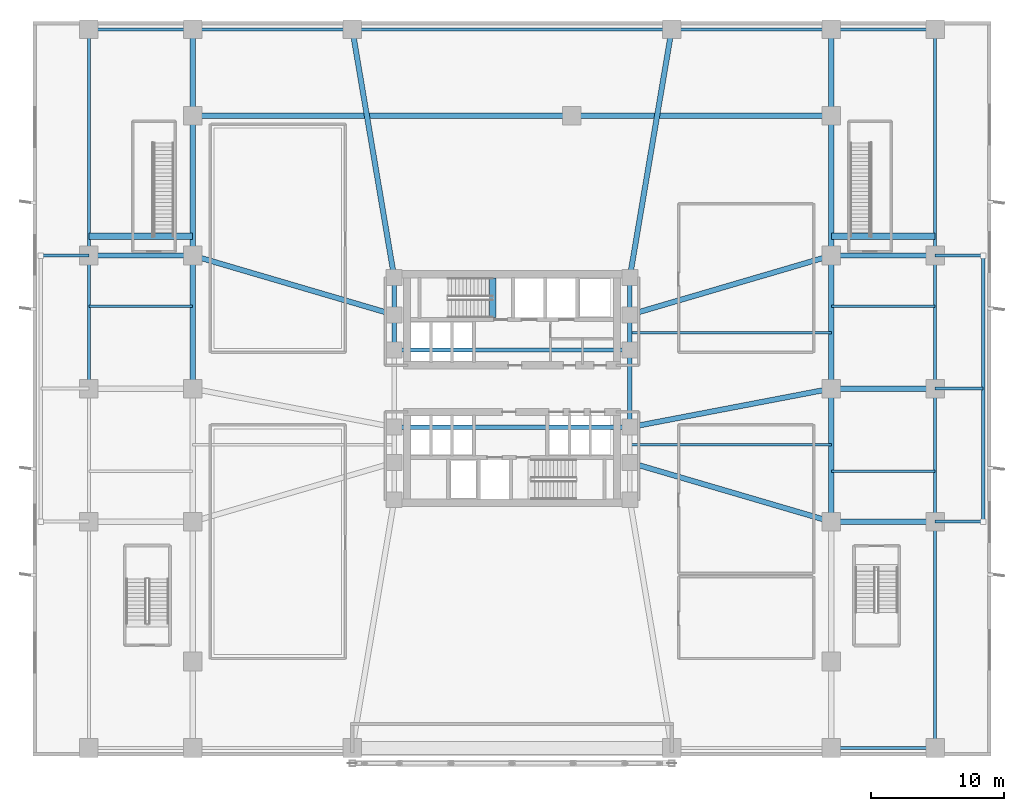
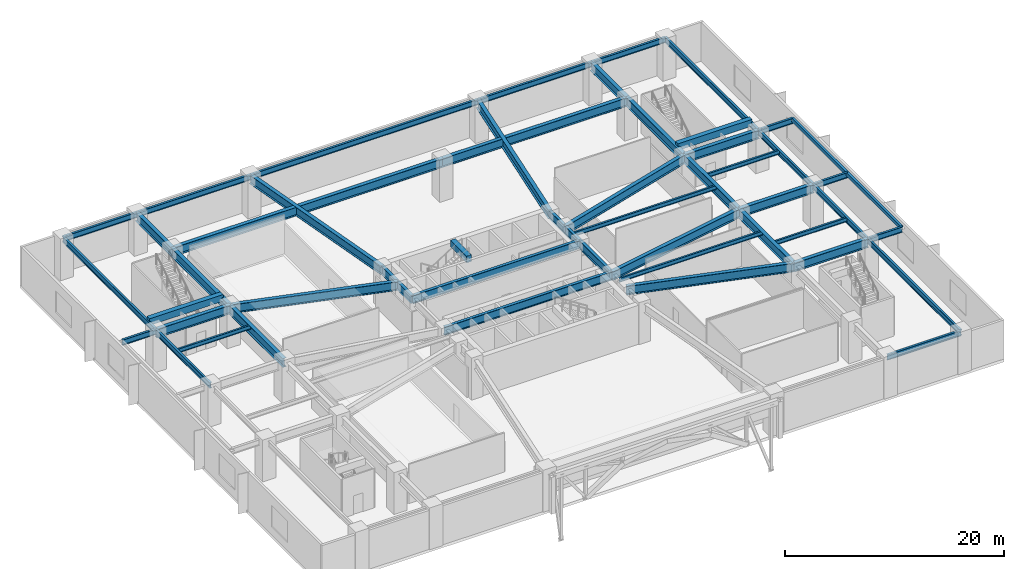
# One storey, part 6 of 21: 51 beams.
"""IFC4 building model written with IfcOpenShell, lengths in metres."""

from ifc_helpers import new_model, si_unit, direction, frame, origin, origin_2d, place, context, subcontext, project, spatial, rectangle, hollow_rectangle, i_section, extrude, material, material_profile, profile_set, type_object, element, save


model = new_model("IFC4")

# Units and contexts
model_context = context("Model", 3, precision=1e-05, world=origin(), true_north=direction((0.0, 1.0)))
body_context = subcontext(model_context, "Body", "Model", "MODEL_VIEW")
ifc_project = project(units=[si_unit("LENGTHUNIT", "METRE"), si_unit("AREAUNIT", "SQUARE_METRE"), si_unit("VOLUMEUNIT", "CUBIC_METRE"), si_unit("PLANEANGLEUNIT", "RADIAN"), si_unit("MASSUNIT", "GRAM", prefix="KILO")], contexts=[model_context])

# Site, building, storey
site_placement = place(None, origin())
site = spatial("IfcSite", under=ifc_project, at=site_placement, CompositionType="ELEMENT")
building_placement = place(site_placement, origin())
building = spatial("IfcBuilding", under=site, at=building_placement, Name="Solmarez Civic Tower", CompositionType="ELEMENT")
storey_placement = place(building_placement, frame((0.0, 0.0, 10.080078125)))
storey = spatial("IfcBuildingStorey", under=building, at=storey_placement, Name="L02", CompositionType="ELEMENT", Elevation=10.080078125)

# Beams
ifc_material_1 = material(Name="Steel S355", Category="steel")
ifc_material_profile_1 = material_profile(ifc_material_1, i_section(OverallWidth=0.19189453125, OverallDepth=0.462890625, WebThickness=0.010498046875, FlangeThickness=0.017578125, at=origin_2d()), Name="W18X60")
ifc_profile_set_1 = profile_set([ifc_material_profile_1], Name="Steel S355")
beam_type_1 = type_object("IfcBeamType", Name="BM-JS-W18X60", PredefinedType="JOIST", material=ifc_profile_set_1)
beam_1_placement = place(storey_placement, frame((8.85009765625, -4.199951171875, 4.1279296875), z_axis=(1.0, 0.0, 0.0), x_axis=(0.0, 1.0, 0.0)))
element("IfcBeam", 1, at=beam_1_placement, inside=storey, type_object=beam_type_1, Name="L02 Secondary Floor Joist JS-L02-EM1", PredefinedType="JOIST", context=body_context, shape_type="SweptSolid", body=[
    extrude(i_section(OverallWidth=0.19189453125, OverallDepth=0.462890625, WebThickness=0.010498046875, FlangeThickness=0.017578125, at=origin_2d()), origin(), (0.0, 0.0, 1.0), 15.14990234375),
])
beam_2_placement = place(storey_placement, frame((24.0, -6.199951171875, 4.1279296875), z_axis=(1.0, 0.0, 0.0), x_axis=(0.0, 1.0, 0.0)))
element("IfcBeam", 2, at=beam_2_placement, inside=storey, type_object=beam_type_1, Name="L02 Secondary Floor Joist JS-L02-EE1", PredefinedType="JOIST", context=body_context, shape_type="SweptSolid", body=[
    extrude(i_section(OverallWidth=0.19189453125, OverallDepth=0.462890625, WebThickness=0.010498046875, FlangeThickness=0.017578125, at=origin_2d()), origin(), (0.0, 0.0, 1.0), 7.800048828125),
])
beam_3_placement = place(storey_placement, frame((8.85009765625, 4.199951171875, 4.1279296875), z_axis=(1.0, 0.0, 0.0), x_axis=(0.0, 1.0, 0.0)))
element("IfcBeam", 3, at=beam_3_placement, inside=storey, type_object=beam_type_1, Name="L02 Secondary Floor Joist JS-L02-EM2", PredefinedType="JOIST", context=body_context, shape_type="SweptSolid", body=[
    extrude(i_section(OverallWidth=0.19189453125, OverallDepth=0.462890625, WebThickness=0.010498046875, FlangeThickness=0.017578125, at=origin_2d()), origin(), (0.0, 0.0, 1.0), 15.14990234375),
])
for number, where, z_axis, x_axis, name in (
    (4, (-31.800048828125, 6.199951171875, 4.1279296875), (1.0, 0.0, 0.0), (0.0, 1.0, 0.0), "L02 Secondary Floor Joist JS-L02-WW2"),
    (5, (24.0, 6.199951171875, 4.1279296875), (1.0, 0.0, 0.0), (0.0, 1.0, 0.0), "L02 Secondary Floor Joist JS-L02-EE2"),
):
    element("IfcBeam", number, at=place(storey_placement, frame(where, z_axis=z_axis, x_axis=x_axis)), inside=storey, type_object=beam_type_1, Name=name, PredefinedType="JOIST", context=body_context, shape_type="SweptSolid", body=[
        extrude(i_section(OverallWidth=0.19189453125, OverallDepth=0.462890625, WebThickness=0.010498046875, FlangeThickness=0.017578125, at=origin_2d()), origin(), (0.0, 0.0, 1.0), 7.800048828125),
    ])
ifc_material_2 = material(Name="Concrete C50/60", Category="concrete")
ifc_material_profile_2 = material_profile(ifc_material_2, rectangle(XDim=0.5, YDim=0.75, at=origin_2d()), Name="RC500X750")
ifc_profile_set_2 = profile_set([ifc_material_profile_2], Name="Concrete C50/60")
beam_type_2 = type_object("IfcBeamType", Name="BM-PR-RC500X750", PredefinedType="BEAM", material=ifc_profile_set_2)
beam_4_placement = place(storey_placement, frame((-1.449951171875, 5.340087890625, 4.31298828125), z_axis=(0.0, 1.0, 0.0), x_axis=(-1.0, 0.0, 0.0)))
element("IfcBeam", 6, at=beam_4_placement, inside=storey, type_object=beam_type_2, Name="L02 North Stair Threshold Beam", PredefinedType="BEAM", context=body_context, shape_type="SweptSolid", body=[
    extrude(rectangle(XDim=0.5, YDim=0.75, at=origin_2d()), origin(), (0.0, 0.0, 1.0), 2.9599609375),
])
for number, where, z_axis, x_axis, name in (
    (7, (-31.800048828125, 11.449951171875, 4.31103515625), (1.0, 0.0, 0.0), (0.0, 1.0, 0.0), "L02 Atrium Stair Bottom Threshold Beam P3"),
    (8, (24.0, 11.449951171875, 4.31103515625), (1.0, 0.0, 0.0), (0.0, 1.0, 0.0), "L02 Atrium Stair Bottom Threshold Beam P4"),
):
    element("IfcBeam", number, at=place(storey_placement, frame(where, z_axis=z_axis, x_axis=x_axis)), inside=storey, type_object=beam_type_2, Name=name, PredefinedType="BEAM", context=body_context, shape_type="SweptSolid", body=[
        extrude(rectangle(XDim=0.5, YDim=0.75, at=origin_2d()), origin(), (0.0, 0.0, 1.0), 7.800048828125),
    ])
ifc_material_profile_3 = material_profile(ifc_material_1, i_section(OverallWidth=0.306884765625, OverallDepth=0.927001953125, WebThickness=0.019287109375, FlangeThickness=0.031982421875, at=origin_2d()), Name="W36X194")
ifc_profile_set_3 = profile_set([ifc_material_profile_3], Name="Steel S355")
beam_type_3 = type_object("IfcBeamType", Name="BM-PR-W36X194", PredefinedType="BEAM", material=ifc_profile_set_3)
beam_5_placement = place(storey_placement, frame((-8.85009765625, 2.89990234375, 3.89599609375), z_axis=(0.0, 1.0, 0.0), x_axis=(-1.0, 0.0, 0.0)))
element("IfcBeam", 9, at=beam_5_placement, inside=storey, type_object=beam_type_3, Name="L02 Primary Floor Beam BM-L02-HC3-HC4", PredefinedType="BEAM", context=body_context, shape_type="SweptSolid", body=[
    extrude(i_section(OverallWidth=0.306884765625, OverallDepth=0.927001953125, WebThickness=0.019287109375, FlangeThickness=0.031982421875, at=origin_2d()), origin(), (0.0, 0.0, 1.0), 2.650146484375),
])
beam_6_placement = place(storey_placement, frame((-8.85009765625, 5.550048828125, 3.89599609375), z_axis=(0.0, 1.0, 0.0), x_axis=(-1.0, 0.0, 0.0)))
element("IfcBeam", 10, at=beam_6_placement, inside=storey, type_object=beam_type_3, Name="L02 Primary Floor Beam BM-L02-HC4-HC9", PredefinedType="BEAM", context=body_context, shape_type="SweptSolid", body=[
    extrude(i_section(OverallWidth=0.306884765625, OverallDepth=0.927001953125, WebThickness=0.019287109375, FlangeThickness=0.031982421875, at=origin_2d()), origin(), (0.0, 0.0, 1.0), 2.800048828125),
])
beam_7_placement = place(storey_placement, frame((8.85009765625, -2.89990234375, 3.89599609375), z_axis=(0.0, 1.0, 0.0), x_axis=(-1.0, 0.0, 0.0)))
element("IfcBeam", 11, at=beam_7_placement, inside=storey, type_object=beam_type_3, Name="L02 Primary Floor Beam BM-L02-HC6-HC7", PredefinedType="BEAM", context=body_context, shape_type="SweptSolid", body=[
    extrude(i_section(OverallWidth=0.306884765625, OverallDepth=0.927001953125, WebThickness=0.019287109375, FlangeThickness=0.031982421875, at=origin_2d()), origin(), (0.0, 0.0, 1.0), 5.7998046875),
])
beam_8_placement = place(storey_placement, frame((8.85009765625, 2.89990234375, 3.89599609375), z_axis=(0.0, 1.0, 0.0), x_axis=(-1.0, 0.0, 0.0)))
element("IfcBeam", 12, at=beam_8_placement, inside=storey, type_object=beam_type_3, Name="L02 Primary Floor Beam BM-L02-HC7-HC8", PredefinedType="BEAM", context=body_context, shape_type="SweptSolid", body=[
    extrude(i_section(OverallWidth=0.306884765625, OverallDepth=0.927001953125, WebThickness=0.019287109375, FlangeThickness=0.031982421875, at=origin_2d()), origin(), (0.0, 0.0, 1.0), 2.650146484375),
])
beam_9_placement = place(storey_placement, frame((8.85009765625, 5.550048828125, 3.89599609375), z_axis=(0.0, 1.0, 0.0), x_axis=(-1.0, 0.0, 0.0)))
element("IfcBeam", 13, at=beam_9_placement, inside=storey, type_object=beam_type_3, Name="L02 Primary Floor Beam BM-L02-HC8-HC11", PredefinedType="BEAM", context=body_context, shape_type="SweptSolid", body=[
    extrude(i_section(OverallWidth=0.306884765625, OverallDepth=0.927001953125, WebThickness=0.019287109375, FlangeThickness=0.031982421875, at=origin_2d()), origin(), (0.0, 0.0, 1.0), 2.800048828125),
])
for number, where, z_axis, x_axis, name in (
    (14, (-8.85009765625, -2.89990234375, 3.89599609375), (1.0, 0.0, 0.0), (0.0, 1.0, 0.0), "L02 Primary Floor Beam BM-L02-HC2-HC6"),
    (15, (-8.85009765625, 2.89990234375, 3.89599609375), (1.0, 0.0, 0.0), (0.0, 1.0, 0.0), "L02 Primary Floor Beam BM-L02-HC3-HC7"),
):
    element("IfcBeam", number, at=place(storey_placement, frame(where, z_axis=z_axis, x_axis=x_axis)), inside=storey, type_object=beam_type_3, Name=name, PredefinedType="BEAM", context=body_context, shape_type="SweptSolid", body=[
        extrude(i_section(OverallWidth=0.306884765625, OverallDepth=0.927001953125, WebThickness=0.019287109375, FlangeThickness=0.031982421875, at=origin_2d()), origin(), (0.0, 0.0, 1.0), 17.7001953125),
    ])
ifc_material_profile_4 = material_profile(ifc_material_1, i_section(OverallWidth=0.39892578125, OverallDepth=0.98193359375, WebThickness=0.0166015625, FlangeThickness=0.027099609375, at=origin_2d()), Name="W40X199")
ifc_profile_set_4 = profile_set([ifc_material_profile_4], Name="Steel S355")
beam_type_4 = type_object("IfcBeamType", Name="BM-PR-W40X199", PredefinedType="BEAM", material=ifc_profile_set_4)
beam_10_placement = place(storey_placement, frame((-24.0, 20.5, 3.868896484375), z_axis=(1.0, 0.0, 0.0), x_axis=(0.0, 1.0, 0.0)))
element("IfcBeam", 16, at=beam_10_placement, inside=storey, type_object=beam_type_4, Name="L02 Primary Floor Beam BM-L02-PC29-PC25", PredefinedType="BEAM", context=body_context, shape_type="SweptSolid", body=[
    extrude(i_section(OverallWidth=0.39892578125, OverallDepth=0.98193359375, WebThickness=0.0166015625, FlangeThickness=0.027099609375, at=origin_2d()), origin(), (0.0, 0.0, 1.0), 28.5),
])
beam_11_placement = place(storey_placement, frame((4.5, 20.5, 3.868896484375), z_axis=(1.0, 0.0, 0.0), x_axis=(0.0, 1.0, 0.0)))
element("IfcBeam", 17, at=beam_11_placement, inside=storey, type_object=beam_type_4, Name="L02 Primary Floor Beam BM-L02-PC25-PC30", PredefinedType="BEAM", context=body_context, shape_type="SweptSolid", body=[
    extrude(i_section(OverallWidth=0.39892578125, OverallDepth=0.98193359375, WebThickness=0.0166015625, FlangeThickness=0.027099609375, at=origin_2d()), origin(), (0.0, 0.0, 1.0), 19.5),
])
beam_12_placement = place(storey_placement, frame((-24.0, 0.0, 3.868896484375), z_axis=(0.0, 1.0, 0.0), x_axis=(-1.0, 0.0, 0.0)))
element("IfcBeam", 18, at=beam_12_placement, inside=storey, type_object=beam_type_4, Name="L02 Primary Floor Beam BM-L02-PC20-PC21", PredefinedType="BEAM", context=body_context, shape_type="SweptSolid", body=[
    extrude(i_section(OverallWidth=0.39892578125, OverallDepth=0.98193359375, WebThickness=0.0166015625, FlangeThickness=0.027099609375, at=origin_2d()), origin(), (0.0, 0.0, 1.0), 10.0),
])
beam_13_placement = place(storey_placement, frame((-24.0, 10.0, 3.868896484375), z_axis=(0.0, 1.0, 0.0), x_axis=(-1.0, 0.0, 0.0)))
element("IfcBeam", 19, at=beam_13_placement, inside=storey, type_object=beam_type_4, Name="L02 Primary Floor Beam BM-L02-PC21-PC29", PredefinedType="BEAM", context=body_context, shape_type="SweptSolid", body=[
    extrude(i_section(OverallWidth=0.39892578125, OverallDepth=0.98193359375, WebThickness=0.0166015625, FlangeThickness=0.027099609375, at=origin_2d()), origin(), (0.0, 0.0, 1.0), 10.5),
])
beam_14_placement = place(storey_placement, frame((-24.0, 20.5, 3.868896484375), z_axis=(0.0, 1.0, 0.0), x_axis=(-1.0, 0.0, 0.0)))
element("IfcBeam", 20, at=beam_14_placement, inside=storey, type_object=beam_type_4, Name="L02 Primary Floor Beam BM-L02-PC29-PC08", PredefinedType="BEAM", context=body_context, shape_type="SweptSolid", body=[
    extrude(i_section(OverallWidth=0.39892578125, OverallDepth=0.98193359375, WebThickness=0.0166015625, FlangeThickness=0.027099609375, at=origin_2d()), origin(), (0.0, 0.0, 1.0), 6.5),
])
for number, where, z_axis, x_axis, name in (
    (21, (24.0, -10.0, 3.868896484375), (0.0, 1.0, 0.0), (-1.0, 0.0, 0.0), "L02 Primary Floor Beam BM-L02-PC22-PC23"),
    (22, (24.0, 0.0, 3.868896484375), (0.0, 1.0, 0.0), (-1.0, 0.0, 0.0), "L02 Primary Floor Beam BM-L02-PC23-PC24"),
):
    element("IfcBeam", number, at=place(storey_placement, frame(where, z_axis=z_axis, x_axis=x_axis)), inside=storey, type_object=beam_type_4, Name=name, PredefinedType="BEAM", context=body_context, shape_type="SweptSolid", body=[
        extrude(i_section(OverallWidth=0.39892578125, OverallDepth=0.98193359375, WebThickness=0.0166015625, FlangeThickness=0.027099609375, at=origin_2d()), origin(), (0.0, 0.0, 1.0), 10.0),
    ])
beam_15_placement = place(storey_placement, frame((24.0, 10.0, 3.868896484375), z_axis=(0.0, 1.0, 0.0), x_axis=(-1.0, 0.0, 0.0)))
element("IfcBeam", 23, at=beam_15_placement, inside=storey, type_object=beam_type_4, Name="L02 Primary Floor Beam BM-L02-PC24-PC30", PredefinedType="BEAM", context=body_context, shape_type="SweptSolid", body=[
    extrude(i_section(OverallWidth=0.39892578125, OverallDepth=0.98193359375, WebThickness=0.0166015625, FlangeThickness=0.027099609375, at=origin_2d()), origin(), (0.0, 0.0, 1.0), 10.5),
])
beam_16_placement = place(storey_placement, frame((24.0, 20.5, 3.868896484375), z_axis=(0.0, 1.0, 0.0), x_axis=(-1.0, 0.0, 0.0)))
element("IfcBeam", 24, at=beam_16_placement, inside=storey, type_object=beam_type_4, Name="L02 Primary Floor Beam BM-L02-PC30-PC11", PredefinedType="BEAM", context=body_context, shape_type="SweptSolid", body=[
    extrude(i_section(OverallWidth=0.39892578125, OverallDepth=0.98193359375, WebThickness=0.0166015625, FlangeThickness=0.027099609375, at=origin_2d()), origin(), (0.0, 0.0, 1.0), 6.5),
])
for number, where, z_axis, x_axis, name in (
    (25, (-31.800048828125, 10.0, 3.868896484375), (1.0, 0.0, 0.0), (0.0, 1.0, 0.0), "L02 Primary Floor Beam BM-L02-PC15-PC21"),
    (26, (31.800048828125, -10.0, 3.868896484375), (-1.0, 0.0, 0.0), (0.0, -1.0, 0.0), "L02 Primary Floor Beam BM-L02-PC16-PC22"),
    (27, (31.800048828125, 0.0, 3.868896484375), (-1.0, 0.0, 0.0), (0.0, -1.0, 0.0), "L02 Primary Floor Beam BM-L02-PC17-PC23"),
    (28, (31.800048828125, 10.0, 3.868896484375), (-1.0, 0.0, 0.0), (0.0, -1.0, 0.0), "L02 Primary Floor Beam BM-L02-PC18-PC24"),
):
    element("IfcBeam", number, at=place(storey_placement, frame(where, z_axis=z_axis, x_axis=x_axis)), inside=storey, type_object=beam_type_4, Name=name, PredefinedType="BEAM", context=body_context, shape_type="SweptSolid", body=[
        extrude(i_section(OverallWidth=0.39892578125, OverallDepth=0.98193359375, WebThickness=0.0166015625, FlangeThickness=0.027099609375, at=origin_2d()), origin(), (0.0, 0.0, 1.0), 7.800048828125),
    ])
for number, where, z_axis, x_axis, name in (
    (29, (-24.0, 10.0, 3.868896484375), (0.959466630969, -0.281822256143, 0.0), (0.281822256143, 0.959466630969, 0.0), "L02 Primary Floor Beam BM-L02-PC21-HC4"),
    (30, (24.0, -10.0, 3.868896484375), (-0.959466630969, 0.281822256143, 0.0), (-0.281822256143, -0.959466630969, 0.0), "L02 Primary Floor Beam BM-L02-PC22-HC5"),
):
    element("IfcBeam", number, at=place(storey_placement, frame(where, z_axis=z_axis, x_axis=x_axis)), inside=storey, type_object=beam_type_4, Name=name, PredefinedType="BEAM", context=body_context, shape_type="SweptSolid", body=[
        extrude(i_section(OverallWidth=0.39892578125, OverallDepth=0.98193359375, WebThickness=0.0166015625, FlangeThickness=0.027099609375, at=origin_2d()), origin(), (0.0, 0.0, 1.0), 15.7900390625),
    ])
beam_17_placement = place(storey_placement, frame((24.0, 0.0, 3.868896484375), z_axis=(-0.982168874333, -0.188000803966, 0.0), x_axis=(0.188000803966, -0.982168874333, 0.0)))
element("IfcBeam", 31, at=beam_17_placement, inside=storey, type_object=beam_type_4, Name="L02 Primary Floor Beam BM-L02-PC23-HC6", PredefinedType="BEAM", context=body_context, shape_type="SweptSolid", body=[
    extrude(i_section(OverallWidth=0.39892578125, OverallDepth=0.98193359375, WebThickness=0.0166015625, FlangeThickness=0.027099609375, at=origin_2d()), origin(), (0.0, 0.0, 1.0), 15.425048828125),
])
beam_18_placement = place(storey_placement, frame((24.0, 10.0, 3.868896484375), z_axis=(-0.959466630969, -0.281822256143, 0.0), x_axis=(0.281822256143, -0.959466630969, 0.0)))
element("IfcBeam", 32, at=beam_18_placement, inside=storey, type_object=beam_type_4, Name="L02 Primary Floor Beam BM-L02-PC24-HC8", PredefinedType="BEAM", context=body_context, shape_type="SweptSolid", body=[
    extrude(i_section(OverallWidth=0.39892578125, OverallDepth=0.98193359375, WebThickness=0.0166015625, FlangeThickness=0.027099609375, at=origin_2d()), origin(), (0.0, 0.0, 1.0), 15.7900390625),
])
for number, where, z_axis, x_axis, name in (
    (33, (-12.0, 27.0, 3.868896484375), (0.166537824737, -0.986035066786, 0.0), (0.986035066786, 0.166537824737, 0.0), "L02 Primary Floor Beam BM-L02-PC09-HC9"),
    (34, (12.0, 27.0, 3.868896484375), (-0.166537824737, -0.986035066786, 0.0), (0.986035066786, -0.166537824737, 0.0), "L02 Primary Floor Beam BM-L02-PC10-HC11"),
):
    element("IfcBeam", number, at=place(storey_placement, frame(where, z_axis=z_axis, x_axis=x_axis)), inside=storey, type_object=beam_type_4, Name=name, PredefinedType="BEAM", context=body_context, shape_type="SweptSolid", body=[
        extrude(i_section(OverallWidth=0.39892578125, OverallDepth=0.98193359375, WebThickness=0.0166015625, FlangeThickness=0.027099609375, at=origin_2d()), origin(), (0.0, 0.0, 1.0), 18.9140625),
    ])
ifc_material_profile_5 = material_profile(ifc_material_1, hollow_rectangle(XDim=0.25, YDim=0.39990234375, WallThickness=0.01611328125, at=origin_2d()), Name="HSS400X250X16")
ifc_profile_set_5 = profile_set([ifc_material_profile_5], Name="Steel S355")
beam_type_5 = type_object("IfcBeamType", Name="BM-SP-HSS400X250", PredefinedType="SPANDREL", material=ifc_profile_set_5)
beam_19_placement = place(storey_placement, frame((35.39990234375, -10.0, 4.159912109375), z_axis=(0.0, 1.0, 0.0), x_axis=(-1.0, 0.0, 0.0)))
element("IfcBeam", 35, at=beam_19_placement, inside=storey, type_object=beam_type_5, Name="L02 Perimeter Spandrel Beam BM-L02-TERRE-EDGE", PredefinedType="SPANDREL", context=body_context, shape_type="SweptSolid", body=[
    extrude(hollow_rectangle(XDim=0.25, YDim=0.39990234375, WallThickness=0.01611328125, at=origin_2d()), origin(), (0.0, 0.0, 1.0), 20.0),
])
ifc_material_profile_6 = material_profile(ifc_material_1, i_section(OverallWidth=0.22900390625, OverallDepth=0.612060546875, WebThickness=0.011962890625, FlangeThickness=0.01953125, at=origin_2d()), Name="W24X84")
ifc_profile_set_6 = profile_set([ifc_material_profile_6], Name="Steel S355")
beam_type_6 = type_object("IfcBeamType", Name="BM-SP-W24X84", PredefinedType="SPANDREL", material=ifc_profile_set_6)
for number, where, z_axis, x_axis, name in (
    (36, (24.0, -27.0, 4.053955078125), (1.0, 0.0, 0.0), (0.0, 1.0, 0.0), "L02 Perimeter Spandrel Beam BM-L02-PC05-PC06"),
    (37, (-31.800048828125, 27.0, 4.053955078125), (1.0, 0.0, 0.0), (0.0, 1.0, 0.0), "L02 Perimeter Spandrel Beam BM-L02-PC07-PC08"),
):
    element("IfcBeam", number, at=place(storey_placement, frame(where, z_axis=z_axis, x_axis=x_axis)), inside=storey, type_object=beam_type_6, Name=name, PredefinedType="SPANDREL", context=body_context, shape_type="SweptSolid", body=[
        extrude(i_section(OverallWidth=0.22900390625, OverallDepth=0.612060546875, WebThickness=0.011962890625, FlangeThickness=0.01953125, at=origin_2d()), origin(), (0.0, 0.0, 1.0), 7.800048828125),
    ])
beam_20_placement = place(storey_placement, frame((-24.0, 27.0, 4.053955078125), z_axis=(1.0, 0.0, 0.0), x_axis=(0.0, 1.0, 0.0)))
element("IfcBeam", 38, at=beam_20_placement, inside=storey, type_object=beam_type_6, Name="L02 Perimeter Spandrel Beam BM-L02-PC08-PC09", PredefinedType="SPANDREL", context=body_context, shape_type="SweptSolid", body=[
    extrude(i_section(OverallWidth=0.22900390625, OverallDepth=0.612060546875, WebThickness=0.011962890625, FlangeThickness=0.01953125, at=origin_2d()), origin(), (0.0, 0.0, 1.0), 12.0),
])
beam_21_placement = place(storey_placement, frame((-12.0, 27.0, 4.053955078125), z_axis=(1.0, 0.0, 0.0), x_axis=(0.0, 1.0, 0.0)))
element("IfcBeam", 39, at=beam_21_placement, inside=storey, type_object=beam_type_6, Name="L02 Perimeter Spandrel Beam BM-L02-PC09-PC10", PredefinedType="SPANDREL", context=body_context, shape_type="SweptSolid", body=[
    extrude(i_section(OverallWidth=0.22900390625, OverallDepth=0.612060546875, WebThickness=0.011962890625, FlangeThickness=0.01953125, at=origin_2d()), origin(), (0.0, 0.0, 1.0), 24.0),
])
beam_22_placement = place(storey_placement, frame((12.0, 27.0, 4.053955078125), z_axis=(1.0, 0.0, 0.0), x_axis=(0.0, 1.0, 0.0)))
element("IfcBeam", 40, at=beam_22_placement, inside=storey, type_object=beam_type_6, Name="L02 Perimeter Spandrel Beam BM-L02-PC10-PC11", PredefinedType="SPANDREL", context=body_context, shape_type="SweptSolid", body=[
    extrude(i_section(OverallWidth=0.22900390625, OverallDepth=0.612060546875, WebThickness=0.011962890625, FlangeThickness=0.01953125, at=origin_2d()), origin(), (0.0, 0.0, 1.0), 12.0),
])
beam_23_placement = place(storey_placement, frame((24.0, 27.0, 4.053955078125), z_axis=(1.0, 0.0, 0.0), x_axis=(0.0, 1.0, 0.0)))
element("IfcBeam", 41, at=beam_23_placement, inside=storey, type_object=beam_type_6, Name="L02 Perimeter Spandrel Beam BM-L02-PC11-PC12", PredefinedType="SPANDREL", context=body_context, shape_type="SweptSolid", body=[
    extrude(i_section(OverallWidth=0.22900390625, OverallDepth=0.612060546875, WebThickness=0.011962890625, FlangeThickness=0.01953125, at=origin_2d()), origin(), (0.0, 0.0, 1.0), 7.800048828125),
])
beam_24_placement = place(storey_placement, frame((-31.800048828125, 0.0, 4.053955078125), z_axis=(0.0, 1.0, 0.0), x_axis=(-1.0, 0.0, 0.0)))
element("IfcBeam", 42, at=beam_24_placement, inside=storey, type_object=beam_type_6, Name="L02 Perimeter Spandrel Beam BM-L02-PC14-PC15", PredefinedType="SPANDREL", context=body_context, shape_type="SweptSolid", body=[
    extrude(i_section(OverallWidth=0.22900390625, OverallDepth=0.612060546875, WebThickness=0.011962890625, FlangeThickness=0.01953125, at=origin_2d()), origin(), (0.0, 0.0, 1.0), 10.0),
])
for number, where, z_axis, x_axis, name in (
    (43, (-31.800048828125, 10.0, 4.053955078125), (0.0, 1.0, 0.0), (-1.0, 0.0, 0.0), "L02 Perimeter Spandrel Beam BM-L02-PC15-PC07"),
    (44, (31.800048828125, -27.0, 4.053955078125), (0.0, 1.0, 0.0), (-1.0, 0.0, 0.0), "L02 Perimeter Spandrel Beam BM-L02-PC06-PC16"),
):
    element("IfcBeam", number, at=place(storey_placement, frame(where, z_axis=z_axis, x_axis=x_axis)), inside=storey, type_object=beam_type_6, Name=name, PredefinedType="SPANDREL", context=body_context, shape_type="SweptSolid", body=[
        extrude(i_section(OverallWidth=0.22900390625, OverallDepth=0.612060546875, WebThickness=0.011962890625, FlangeThickness=0.01953125, at=origin_2d()), origin(), (0.0, 0.0, 1.0), 17.0),
    ])
for number, where, z_axis, x_axis, name in (
    (45, (31.800048828125, -10.0, 4.053955078125), (0.0, 1.0, 0.0), (-1.0, 0.0, 0.0), "L02 Perimeter Spandrel Beam BM-L02-PC16-PC17"),
    (46, (31.800048828125, 0.0, 4.053955078125), (0.0, 1.0, 0.0), (-1.0, 0.0, 0.0), "L02 Perimeter Spandrel Beam BM-L02-PC17-PC18"),
):
    element("IfcBeam", number, at=place(storey_placement, frame(where, z_axis=z_axis, x_axis=x_axis)), inside=storey, type_object=beam_type_6, Name=name, PredefinedType="SPANDREL", context=body_context, shape_type="SweptSolid", body=[
        extrude(i_section(OverallWidth=0.22900390625, OverallDepth=0.612060546875, WebThickness=0.011962890625, FlangeThickness=0.01953125, at=origin_2d()), origin(), (0.0, 0.0, 1.0), 10.0),
    ])
beam_25_placement = place(storey_placement, frame((31.800048828125, 10.0, 4.053955078125), z_axis=(0.0, 1.0, 0.0), x_axis=(-1.0, 0.0, 0.0)))
element("IfcBeam", 47, at=beam_25_placement, inside=storey, type_object=beam_type_6, Name="L02 Perimeter Spandrel Beam BM-L02-PC18-PC12", PredefinedType="SPANDREL", context=body_context, shape_type="SweptSolid", body=[
    extrude(i_section(OverallWidth=0.22900390625, OverallDepth=0.612060546875, WebThickness=0.011962890625, FlangeThickness=0.01953125, at=origin_2d()), origin(), (0.0, 0.0, 1.0), 17.0),
])
for number, where, z_axis, x_axis, name in (
    (48, (31.800048828125, -10.0, 4.053955078125), (1.0, 0.0, 0.0), (0.0, 1.0, 0.0), "L02 Perimeter Spandrel Beam BM-L02-TERRE-10"),
    (49, (31.800048828125, 0.0, 4.053955078125), (1.0, 0.0, 0.0), (0.0, 1.0, 0.0), "L02 Perimeter Spandrel Beam BM-L02-TERRE-20"),
    (50, (-31.800048828125, 10.0, 4.053955078125), (-1.0, 0.0, 0.0), (0.0, -1.0, 0.0), "L02 Perimeter Spandrel Beam BM-L02-TERRW-30"),
    (51, (31.800048828125, 10.0, 4.053955078125), (1.0, 0.0, 0.0), (0.0, 1.0, 0.0), "L02 Perimeter Spandrel Beam BM-L02-TERRE-30"),
):
    element("IfcBeam", number, at=place(storey_placement, frame(where, z_axis=z_axis, x_axis=x_axis)), inside=storey, type_object=beam_type_6, Name=name, PredefinedType="SPANDREL", context=body_context, shape_type="SweptSolid", body=[
        extrude(i_section(OverallWidth=0.22900390625, OverallDepth=0.612060546875, WebThickness=0.011962890625, FlangeThickness=0.01953125, at=origin_2d()), origin(), (0.0, 0.0, 1.0), 3.599853515625),
    ])

save(model, "model.ifc")
